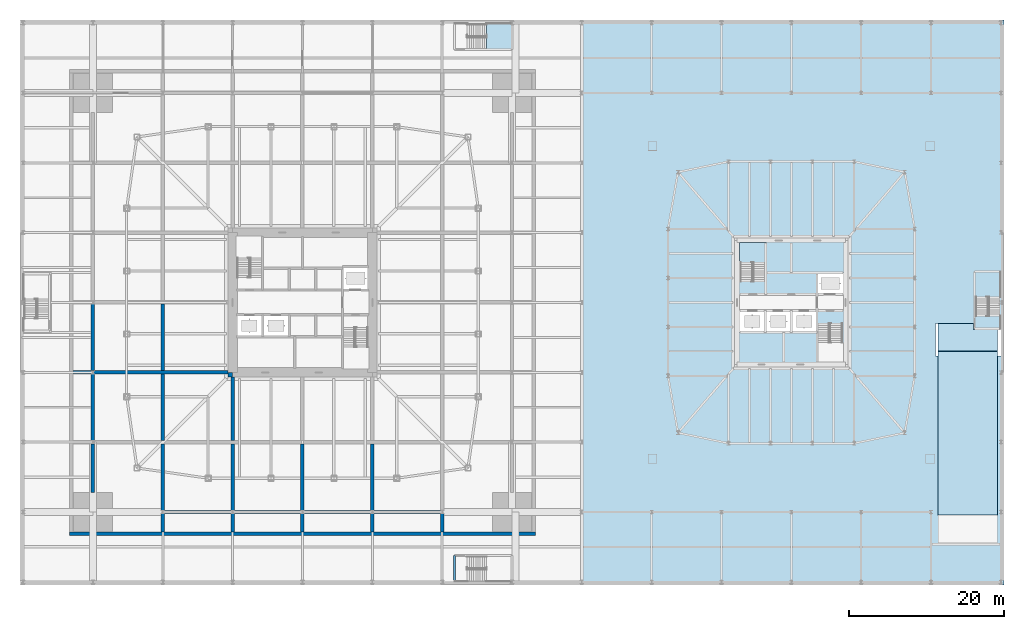
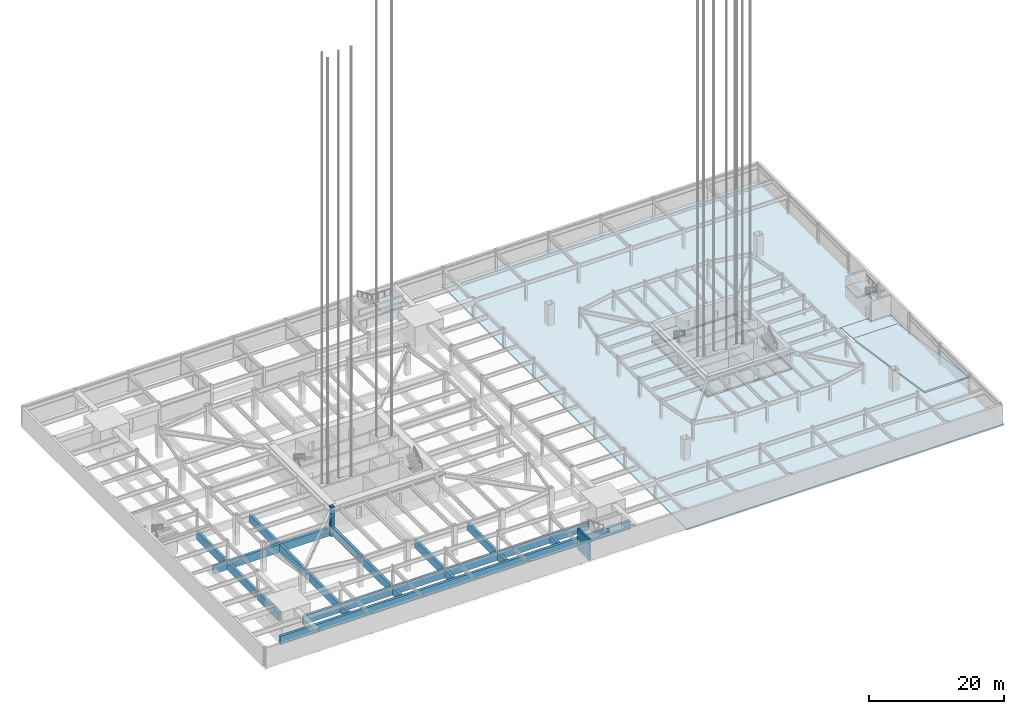
# One storey, part 9 of 35: 20 walls, 7 slabs, 3 elements without a shape of their own.
"""IFC4 building model written with IfcOpenShell, lengths in metres."""

from ifc_helpers import new_model, si_unit, direction, frame, frame_2d, origin, place, context, subcontext, project, spatial, polyline, rectangle, outline, extrude, material, layer, layer_set, constituent, constituent_set, type_object, element, aggregate, save


model = new_model("IFC4")

# Units and contexts
model_context = context("Model", 3, precision=1e-05, world=origin(), true_north=direction((0.0, 1.0)))
body_context = subcontext(model_context, "Body", "Model", "MODEL_VIEW")
ifc_project = project(units=[si_unit("LENGTHUNIT", "METRE"), si_unit("AREAUNIT", "SQUARE_METRE"), si_unit("VOLUMEUNIT", "CUBIC_METRE"), si_unit("PLANEANGLEUNIT", "RADIAN"), si_unit("MASSUNIT", "GRAM", prefix="KILO")], contexts=[model_context])

# Site, building, storey
site_placement = place(None, origin())
site = spatial("IfcSite", under=ifc_project, at=site_placement, CompositionType="ELEMENT")
building_placement = place(site_placement, origin())
building = spatial("IfcBuilding", under=site, at=building_placement, Name="Iwan Alto Co-Living Towers", CompositionType="ELEMENT")
storey_placement = place(building_placement, frame((0.0, 0.0, -7.199951171875)))
storey = spatial("IfcBuildingStorey", under=building, at=storey_placement, Name="B2", CompositionType="ELEMENT", Elevation=-7.199951171875)

# Slabs
ifc_material_1 = material(Name="Concrete f'c 35 MPa", Category="concrete")
ifc_layer_1 = layer(ifc_material_1, 0.25)
ifc_layer_set_1 = layer_set([ifc_layer_1], Name="BASE SLAB 250")
slab_type_1 = type_object("IfcSlabType", Name="BASE SLAB 250", PredefinedType="BASESLAB", material=ifc_layer_set_1)
slab_1_placement = place(storey_placement, frame((0.0, 0.0, -0.25)))
element("IfcSlab", 1, at=slab_1_placement, inside=storey, type_object=slab_type_1, Name="Basement base slab B2 T2 side pour", PredefinedType="BASESLAB", context=body_context, shape_type="SweptSolid", body=[
    extrude(outline(polyline([(90.39990234375, 36.39990234375), (90.39990234375, -36.39990234375), (36.0, -36.39990234375), (36.0, 36.39990234375), (90.39990234375, 36.39990234375)]), holes=[polyline([(81.60009765625, -6.904052734375), (90.0, -6.904052734375), (90.0, -3.5), (86.5, -3.5), (86.5, -2.679931640625), (81.60009765625, -2.679931640625), (81.60009765625, -6.904052734375)]), polyline([(55.699951171875, -8.300048828125), (70.300048828125, -8.300048828125), (70.300048828125, 8.300048828125), (55.699951171875, 8.300048828125), (55.699951171875, -8.300048828125)])]), origin(), (0.0, 0.0, 1.0), 0.25),
])
ifc_material_2 = material(Name="Concrete f'c 70 MPa", Category="concrete")
ifc_layer_2 = layer(ifc_material_2, 0.25)
ifc_layer_set_2 = layer_set([ifc_layer_2], Name="Concrete f'c 70 MPa")
slab_type_2 = type_object("IfcSlabType", Name="CAR PARK RAMP SLAB 250", PredefinedType="USERDEFINED", material=ifc_layer_set_2)
slab_2_placement = place(storey_placement, frame((81.89990234375, -27.39990234375, 3.384033203125), z_axis=(0.0, 0.148339893915, 0.98893643672), x_axis=(0.0, 0.98893643672, -0.148339893915)))
element("IfcSlab", 2, at=slab_2_placement, inside=storey, type_object=slab_type_2, Name="Car park ramp R2", ObjectType="RAMP", PredefinedType="USERDEFINED", context=body_context, shape_type="SweptSolid", body=[
    extrude(outline(polyline([(0.0, 0.0), (21.356148143, 0.0), (21.356148143, -7.646728516), (0.0, -7.646728516), (0.0, 0.0)])), origin(), (0.0, 0.0, -1.0), 0.25),
])
slab_3_placement = place(storey_placement, frame((89.546630859375, -6.280029296875, 0.216064453125), z_axis=(1.0421951e-05, 0.059926054921, 0.998202818987), x_axis=(-0.999999999946, 6.24546e-07, 1.0403221e-05)))
element("IfcSlab", 3, at=slab_3_placement, inside=storey, type_object=slab_type_2, Name="Car park ramp R2 foot transition", ObjectType="RAMP", PredefinedType="USERDEFINED", context=body_context, shape_type="SweptSolid", body=[
    extrude(outline(polyline([(0.0, 0.0), (7.646728515, 0.0), (7.646728516, -3.60657552), (3.04663086, -3.60657552), (3.046630858, -2.785040264), (-1e-09, -2.785040264), (0.0, 0.0)])), origin(), (0.0, 0.0, -1.0), 0.25),
])
ifc_material_3 = material(Name="Concrete f'c 35 MPa", Category="concrete")
ifc_layer_3 = layer(ifc_material_3, 0.25)
ifc_layer_set_3 = layer_set([ifc_layer_3], Name="CORE BASE SLAB 250")
slab_type_3 = type_object("IfcSlabType", Name="CORE BASE SLAB 250", PredefinedType="BASESLAB", material=ifc_layer_set_3)
slab_4_placement = place(storey_placement, frame((0.0, 0.0, -0.25)))
element("IfcSlab", 4, at=slab_4_placement, inside=storey, type_object=slab_type_3, Name="T2 core base slab B2", PredefinedType="BASESLAB", context=body_context, shape_type="SweptSolid", body=[
    extrude(outline(polyline([(56.300048828125, -3.85009765625), (59.633056640625, -3.85009765625), (62.967041015625, -3.85009765625), (66.300048828125, -3.85009765625), (66.300048828125, -1.050048828125), (62.967041015625, -1.050048828125), (59.633056640625, -1.050048828125), (56.300048828125, -1.050048828125), (56.300048828125, -1.360107421875), (56.0, -1.360107421875), (56.0, 8.0), (70.0, 8.0), (70.0, 3.5400390625), (69.699951171875, 3.5400390625), (69.699951171875, 3.85009765625), (66.300048828125, 3.85009765625), (66.300048828125, 1.050048828125), (69.699951171875, 1.050048828125), (69.699951171875, 1.360107421875), (70.0, 1.360107421875), (70.0, -8.0), (56.0, -8.0), (56.0, -3.5400390625), (56.300048828125, -3.5400390625), (56.300048828125, -3.85009765625)])), origin(), (0.0, 0.0, 1.0), 0.25),
])

# Stair, slab
ifc_material_4 = material(Name="Steel ASTM A36", Category="steel")
ifc_constituent_1 = constituent(ifc_material_4, Name="Stringers", Category="LoadBearing")
ifc_material_5 = material(Name="Concrete f'c 30 MPa", Category="concrete")
ifc_constituent_2 = constituent(ifc_material_5, Name="Tread fill", Category="Finish")
ifc_constituent_set_1 = constituent_set(constituents=[ifc_constituent_1, ifc_constituent_2], Name="STAIR 3600 TWO-FLIGHT PODIUM")
stair_type_1 = type_object("IfcStairType", Name="STAIR 3600 TWO-FLIGHT PODIUM", PredefinedType="HALF_TURN_STAIR", material=ifc_constituent_set_1)
stair_1_placement = place(storey_placement, origin())
stair_1 = element("IfcStair", 5, at=stair_1_placement, inside=storey, type_object=stair_type_1, Name="Stair PS2 B2 to B1", PredefinedType="HALF_TURN_STAIR")
ifc_material_6 = material(Name="Concrete f'c 30 MPa", Category="concrete")
ifc_layer_4 = layer(ifc_material_6, 0.199951171875)
ifc_layer_set_4 = layer_set([ifc_layer_4], Name="STAIR LANDING 200")
slab_type_4 = type_object("IfcSlabType", Name="STAIR LANDING 200", PredefinedType="LANDING", material=ifc_layer_set_4)
slab_5_placement = place(storey_placement, frame((0.0, 0.0, 1.599853515625)))
slab_5 = element("IfcSlab", 6, at=slab_5_placement, type_object=slab_type_4, Name="PS2 landing 1", PredefinedType="LANDING", context=body_context, shape_type="SweptSolid", body=[
    extrude(outline(polyline([(86.60009765625, 0.68994140625), (86.60009765625, 4.0), (90.0, 4.0), (90.0, 0.68994140625), (86.60009765625, 0.68994140625)])), origin(), (0.0, 0.0, 1.0), 0.2001953125),
])
aggregate(stair_1, [slab_5])

stair_2_placement = place(storey_placement, origin())
stair_2 = element("IfcStair", 7, at=stair_2_placement, inside=storey, type_object=stair_type_1, Name="Stair PS3 B2 to B1", PredefinedType="HALF_TURN_STAIR")
slab_6_placement = place(storey_placement, frame((0.0, 0.0, 1.599853515625)))
slab_6 = element("IfcSlab", 8, at=slab_6_placement, type_object=slab_type_4, Name="PS3 landing 1", PredefinedType="LANDING", context=body_context, shape_type="SweptSolid", body=[
    extrude(outline(polyline([(23.68994140625, 32.60009765625), (27.0, 32.60009765625), (27.0, 36.0), (23.68994140625, 36.0), (23.68994140625, 32.60009765625)])), origin(), (0.0, 0.0, 1.0), 0.2001953125),
])
aggregate(stair_2, [slab_6])

ifc_constituent_3 = constituent(ifc_material_4, Name="Stringers", Category="LoadBearing")
ifc_constituent_4 = constituent(ifc_material_5, Name="Tread fill", Category="Finish")
ifc_constituent_set_2 = constituent_set(constituents=[ifc_constituent_3, ifc_constituent_4], Name="STAIR 3600 TWO-FLIGHT T2 CORE")
stair_type_2 = type_object("IfcStairType", Name="STAIR 3600 TWO-FLIGHT T2 CORE", PredefinedType="HALF_TURN_STAIR", material=ifc_constituent_set_2)
stair_3_placement = place(storey_placement, origin())
stair_3 = element("IfcStair", 9, at=stair_3_placement, inside=storey, type_object=stair_type_2, Name="Stair T2-S1 B2 to B1", PredefinedType="HALF_TURN_STAIR")
slab_7_placement = place(storey_placement, frame((0.0, 0.0, 1.599853515625)))
slab_7 = element("IfcSlab", 10, at=slab_7_placement, type_object=slab_type_4, Name="T2-S1 landing 1", PredefinedType="LANDING", context=body_context, shape_type="SweptSolid", body=[
    extrude(outline(polyline([(56.300048828125, 5.139892578125), (56.300048828125, 7.699951171875), (59.699951171875, 7.699951171875), (59.699951171875, 5.139892578125), (56.300048828125, 5.139892578125)])), origin(), (0.0, 0.0, 1.0), 0.2001953125),
])
aggregate(stair_3, [slab_7])

# Walls
ifc_material_7 = material(Name="Concrete f'c 35 MPa", Category="concrete")
ifc_layer_5 = layer(ifc_material_7, 0.449951171875)
ifc_layer_set_5 = layer_set([ifc_layer_5], Name="BOX CELL WALL 450")
wall_type_1 = type_object("IfcWallType", Name="BOX CELL WALL 450", PredefinedType="SOLIDWALL", material=ifc_layer_set_5)
wall_1_placement = place(storey_placement, frame((-30.0, -29.77490234375, -1.800048828125), z_axis=(0.0, 0.0, 1.0), x_axis=(1.0, 0.0, 0.0)))
element("IfcWall", 11, at=wall_1_placement, inside=storey, type_object=wall_type_1, Name="T1 box perimeter wall S", PredefinedType="SOLIDWALL", context=body_context, shape_type="SweptSolid", body=[
    extrude(rectangle(XDim=60.0, YDim=0.449951171875, at=frame_2d((30.0, 0.0))), origin(), (0.0, 0.0, 1.0), 1.5),
])
wall_2_placement = place(storey_placement, frame((-24.5, -27.0, -1.800048828125), z_axis=(0.0, 0.0, 1.0), x_axis=(1.0, 0.0, 0.0)))
element("IfcWall", 12, at=wall_2_placement, inside=storey, type_object=wall_type_1, Name="T1 box cell wall on grid B", PredefinedType="SOLIDWALL", context=body_context, shape_type="SweptSolid", body=[
    extrude(rectangle(XDim=49.0, YDim=0.449951171875, at=frame_2d((24.5, 0.0))), origin(), (0.0, 0.0, 1.0), 1.5),
])
wall_3_placement = place(storey_placement, frame((-29.550048828125, -9.0, -1.800048828125), z_axis=(0.0, 0.0, 1.0), x_axis=(1.0, 0.0, 0.0)))
element("IfcWall", 13, at=wall_3_placement, inside=storey, type_object=wall_type_1, Name="T1 box cell wall on grid D", PredefinedType="SOLIDWALL", context=body_context, shape_type="SweptSolid", body=[
    extrude(rectangle(XDim=19.949951171875, YDim=0.449951171875, at=frame_2d((9.97509765625, 0.0))), origin(), (0.0, 0.0, 1.0), 1.5),
])
wall_4_placement = place(storey_placement, frame((-27.0, -24.5, -1.800048828125), z_axis=(0.0, 0.0, 1.0), x_axis=(0.0, 1.0, 0.0)))
element("IfcWall", 14, at=wall_4_placement, inside=storey, type_object=wall_type_1, Name="T1 box cell wall on grid 2", PredefinedType="SOLIDWALL", context=body_context, shape_type="SweptSolid", body=[
    extrude(rectangle(XDim=6.27490234375, YDim=0.449951171875, at=frame_2d((3.137451171875, 0.0))), origin(), (0.0, 0.0, 1.0), 1.5),
])
for number, where, z_axis, x_axis, name in (
    (15, (-27.0, -17.77490234375, -1.800048828125), (0.0, 0.0, 1.0), (0.0, 1.0, 0.0), "T1 box cell wall on grid 2"),
    (16, (-27.0, -8.77490234375, -1.800048828125), (0.0, 0.0, 1.0), (0.0, 1.0, 0.0), "T1 box cell wall on grid 2"),
):
    element("IfcWall", number, at=place(storey_placement, frame(where, z_axis=z_axis, x_axis=x_axis)), inside=storey, type_object=wall_type_1, Name=name, PredefinedType="SOLIDWALL", context=body_context, shape_type="SweptSolid", body=[
        extrude(rectangle(XDim=8.5498046875, YDim=0.449951171875, at=frame_2d((4.27490234375, 0.0))), origin(), (0.0, 0.0, 1.0), 1.5),
    ])
wall_5_placement = place(storey_placement, frame((-18.0, -29.550048828125, -1.800048828125), z_axis=(0.0, 0.0, 1.0), x_axis=(0.0, 1.0, 0.0)))
element("IfcWall", 17, at=wall_5_placement, inside=storey, type_object=wall_type_1, Name="T1 box cell wall on grid 3", PredefinedType="SOLIDWALL", context=body_context, shape_type="SweptSolid", body=[
    extrude(rectangle(XDim=2.324951171875, YDim=0.449951171875, at=frame_2d((1.16259765625, 0.0))), origin(), (0.0, 0.0, 1.0), 1.5),
])
for number, where, z_axis, x_axis, name in (
    (18, (-18.0, -26.77490234375, -1.800048828125), (0.0, 0.0, 1.0), (0.0, 1.0, 0.0), "T1 box cell wall on grid 3"),
    (19, (-18.0, -17.77490234375, -1.800048828125), (0.0, 0.0, 1.0), (0.0, 1.0, 0.0), "T1 box cell wall on grid 3"),
    (20, (-18.0, -8.77490234375, -1.800048828125), (0.0, 0.0, 1.0), (0.0, 1.0, 0.0), "T1 box cell wall on grid 3"),
):
    element("IfcWall", number, at=place(storey_placement, frame(where, z_axis=z_axis, x_axis=x_axis)), inside=storey, type_object=wall_type_1, Name=name, PredefinedType="SOLIDWALL", context=body_context, shape_type="SweptSolid", body=[
        extrude(rectangle(XDim=8.5498046875, YDim=0.449951171875, at=frame_2d((4.27490234375, 0.0))), origin(), (0.0, 0.0, 1.0), 1.5),
    ])
wall_6_placement = place(storey_placement, frame((-9.0, -29.550048828125, -1.800048828125), z_axis=(0.0, 0.0, 1.0), x_axis=(0.0, 1.0, 0.0)))
element("IfcWall", 21, at=wall_6_placement, inside=storey, type_object=wall_type_1, Name="T1 box cell wall on grid 4", PredefinedType="SOLIDWALL", context=body_context, shape_type="SweptSolid", body=[
    extrude(rectangle(XDim=2.324951171875, YDim=0.449951171875, at=frame_2d((1.16259765625, 0.0))), origin(), (0.0, 0.0, 1.0), 1.5),
])
wall_7_placement = place(storey_placement, frame((-9.0, -26.77490234375, -1.800048828125), z_axis=(0.0, 0.0, 1.0), x_axis=(0.0, 1.0, 0.0)))
element("IfcWall", 22, at=wall_7_placement, inside=storey, type_object=wall_type_1, Name="T1 box cell wall on grid 4", PredefinedType="SOLIDWALL", context=body_context, shape_type="SweptSolid", body=[
    extrude(rectangle(XDim=8.5498046875, YDim=0.449951171875, at=frame_2d((4.27490234375, 0.0))), origin(), (0.0, 0.0, 1.0), 1.5),
])
wall_8_placement = place(storey_placement, frame((-9.0, -17.77490234375, -1.800048828125), z_axis=(0.0, 0.0, 1.0), x_axis=(0.0, 1.0, 0.0)))
element("IfcWall", 23, at=wall_8_placement, inside=storey, type_object=wall_type_1, Name="T1 box cell wall on grid 4", PredefinedType="SOLIDWALL", context=body_context, shape_type="SweptSolid", body=[
    extrude(rectangle(XDim=8.1748046875, YDim=0.449951171875, at=frame_2d((4.08740234375, 0.0))), origin(), (0.0, 0.0, 1.0), 1.5),
])
wall_9_placement = place(storey_placement, frame((0.0, -29.550048828125, -1.800048828125), z_axis=(0.0, 0.0, 1.0), x_axis=(0.0, 1.0, 0.0)))
element("IfcWall", 24, at=wall_9_placement, inside=storey, type_object=wall_type_1, Name="T1 box cell wall on grid 5", PredefinedType="SOLIDWALL", context=body_context, shape_type="SweptSolid", body=[
    extrude(rectangle(XDim=2.324951171875, YDim=0.449951171875, at=frame_2d((1.16259765625, 0.0))), origin(), (0.0, 0.0, 1.0), 1.5),
])
wall_10_placement = place(storey_placement, frame((0.0, -26.77490234375, -1.800048828125), z_axis=(0.0, 0.0, 1.0), x_axis=(0.0, 1.0, 0.0)))
element("IfcWall", 25, at=wall_10_placement, inside=storey, type_object=wall_type_1, Name="T1 box cell wall on grid 5", PredefinedType="SOLIDWALL", context=body_context, shape_type="SweptSolid", body=[
    extrude(rectangle(XDim=8.5498046875, YDim=0.449951171875, at=frame_2d((4.27490234375, 0.0))), origin(), (0.0, 0.0, 1.0), 1.5),
])
wall_11_placement = place(storey_placement, frame((9.0, -29.550048828125, -1.800048828125), z_axis=(0.0, 0.0, 1.0), x_axis=(0.0, 1.0, 0.0)))
element("IfcWall", 26, at=wall_11_placement, inside=storey, type_object=wall_type_1, Name="T1 box cell wall on grid 6", PredefinedType="SOLIDWALL", context=body_context, shape_type="SweptSolid", body=[
    extrude(rectangle(XDim=2.324951171875, YDim=0.449951171875, at=frame_2d((1.16259765625, 0.0))), origin(), (0.0, 0.0, 1.0), 1.5),
])
wall_12_placement = place(storey_placement, frame((9.0, -26.77490234375, -1.800048828125), z_axis=(0.0, 0.0, 1.0), x_axis=(0.0, 1.0, 0.0)))
element("IfcWall", 27, at=wall_12_placement, inside=storey, type_object=wall_type_1, Name="T1 box cell wall on grid 6", PredefinedType="SOLIDWALL", context=body_context, shape_type="SweptSolid", body=[
    extrude(rectangle(XDim=8.5498046875, YDim=0.449951171875, at=frame_2d((4.27490234375, 0.0))), origin(), (0.0, 0.0, 1.0), 1.5),
])
wall_13_placement = place(storey_placement, frame((18.0, -29.550048828125, -1.800048828125), z_axis=(0.0, 0.0, 1.0), x_axis=(0.0, 1.0, 0.0)))
element("IfcWall", 28, at=wall_13_placement, inside=storey, type_object=wall_type_1, Name="T1 box cell wall on grid 7", PredefinedType="SOLIDWALL", context=body_context, shape_type="SweptSolid", body=[
    extrude(rectangle(XDim=2.324951171875, YDim=0.449951171875, at=frame_2d((1.16259765625, 0.0))), origin(), (0.0, 0.0, 1.0), 1.5),
])
ifc_material_8 = material(Name="Concrete f'c 70 MPa", Category="concrete")
ifc_layer_6 = layer(ifc_material_8, 0.300048828125)
ifc_layer_set_6 = layer_set([ifc_layer_6], Name="SHAFT WALL 300")
wall_type_2 = type_object("IfcWallType", Name="SHAFT WALL 300", PredefinedType="SOLIDWALL", material=ifc_layer_set_6)
wall_14_placement = place(storey_placement, frame((19.60009765625, -36.0, -0.25), z_axis=(0.0, 0.0, 1.0), x_axis=(0.0, 1.0, 0.0)))
element("IfcWall", 29, at=wall_14_placement, inside=storey, type_object=wall_type_2, Name="Shaft wall B2", PredefinedType="SOLIDWALL", context=body_context, shape_type="SweptSolid", body=[
    extrude(rectangle(XDim=3.39990234375, YDim=0.300048828125, at=frame_2d((1.699951171875, 0.0))), origin(), (0.0, 0.0, 1.0), 3.849853515625),
])
ifc_material_9 = material(Name="Concrete f'c 70 MPa", Category="concrete")
ifc_layer_7 = layer(ifc_material_9, 0.60009765625)
ifc_layer_set_7 = layer_set([ifc_layer_7], Name="T1 CORE CORNER FILL 600")
wall_type_3 = type_object("IfcWallType", Name="T1 CORE CORNER FILL 600", PredefinedType="SOLIDWALL", material=ifc_layer_set_7)
wall_15_placement = place(storey_placement, frame((-9.60009765625, -9.300048828125, -1.800048828125), z_axis=(0.0, 0.0, 1.0), x_axis=(1.0, 0.0, 0.0)))
element("IfcWall", 30, at=wall_15_placement, inside=storey, type_object=wall_type_3, Name="T1 core corner SW B2", PredefinedType="SOLIDWALL", context=body_context, shape_type="SweptSolid", body=[
    extrude(rectangle(XDim=0.60009765625, YDim=0.60009765625, at=frame_2d((0.300048828125, 0.0))), origin(), (0.0, 0.0, 1.0), 5.39990234375),
])

save(model, "model.ifc")
